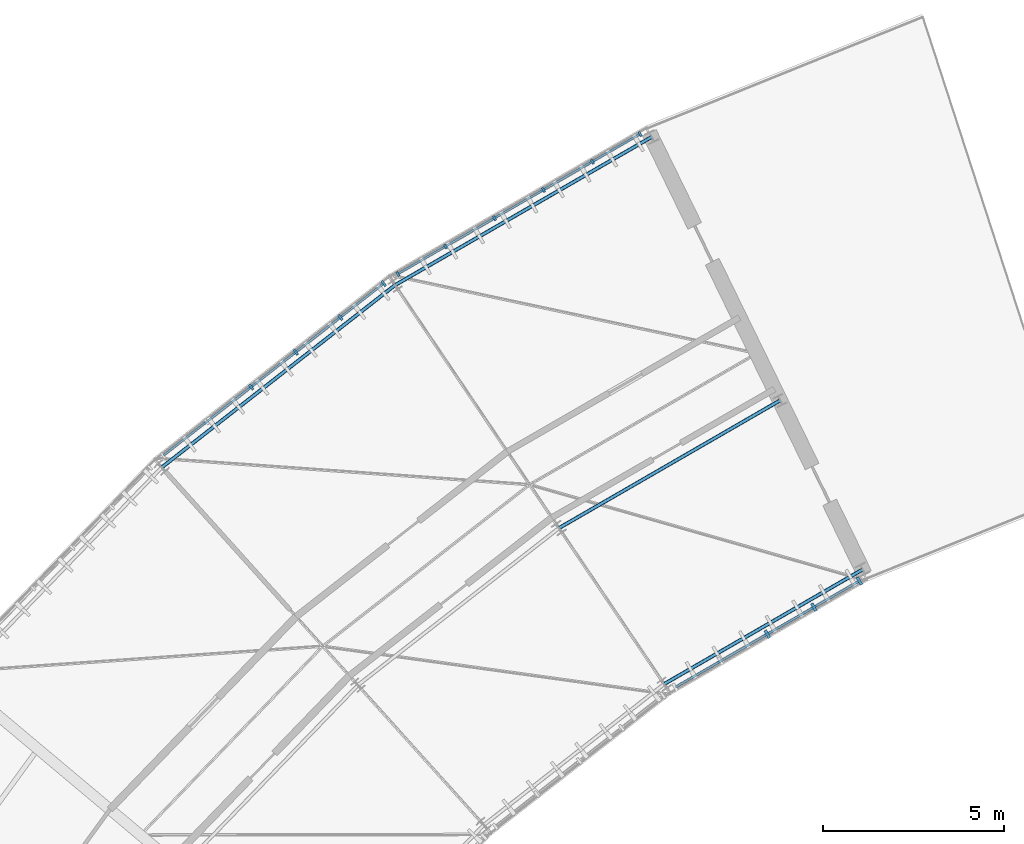
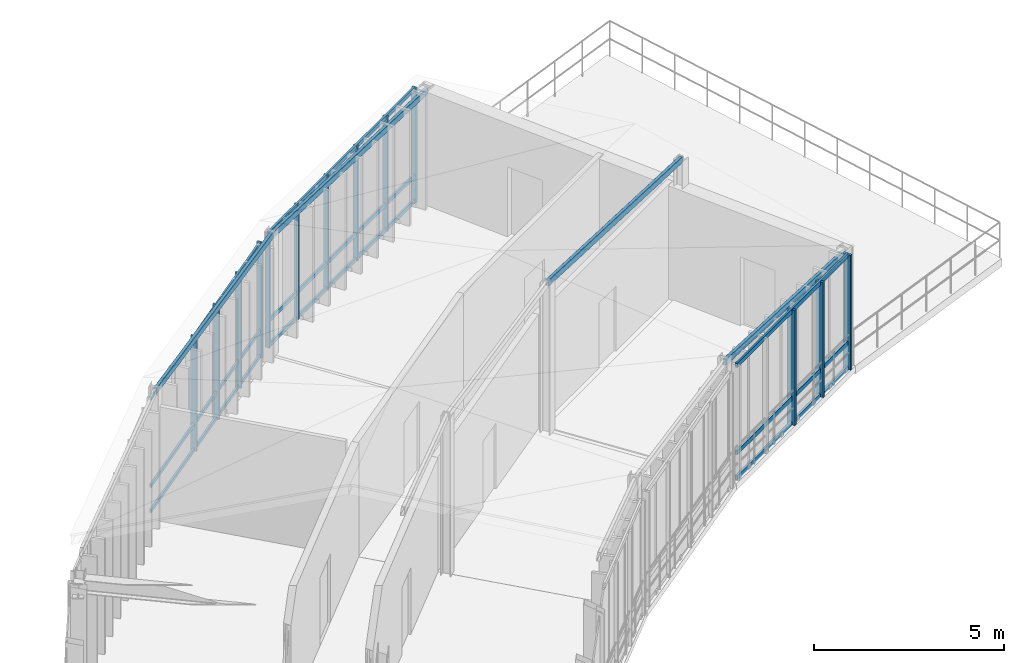
# One storey, part 8 of 25: 26 members, 3 elements without a shape of their own.
"""IFC4 building model written with IfcOpenShell, lengths in metres."""

from ifc_helpers import new_model, si_unit, direction, frame, origin, origin_2d, place, context, subcontext, project, spatial, rectangle, hollow_rectangle, extrude, material, layer, layer_set, material_profile, profile_set, type_object, element, aggregate, save


model = new_model("IFC4")

# Units and contexts
model_context = context("Model", 3, precision=1e-05, world=origin(), true_north=direction((0.0, 1.0)))
body_context = subcontext(model_context, "Body", "Model", "MODEL_VIEW")
ifc_project = project(units=[si_unit("LENGTHUNIT", "METRE"), si_unit("AREAUNIT", "SQUARE_METRE"), si_unit("VOLUMEUNIT", "CUBIC_METRE"), si_unit("PLANEANGLEUNIT", "RADIAN"), si_unit("MASSUNIT", "GRAM", prefix="KILO"), si_unit("THERMODYNAMICTEMPERATUREUNIT", "KELVIN"), si_unit("POWERUNIT", "WATT")], contexts=[model_context])

# Site, building, storey
site_placement = place(None, origin())
site = spatial("IfcSite", under=ifc_project, at=site_placement, CompositionType="ELEMENT")
building_placement = place(site_placement, origin())
building = spatial("IfcBuilding", under=site, at=building_placement, Name="Solvatero Civic Police Headquarters", CompositionType="ELEMENT")
storey_placement = place(building_placement, frame((0.0, 0.0, 25.5)))
storey = spatial("IfcBuildingStorey", under=building, at=storey_placement, Name="L06", CompositionType="ELEMENT", Elevation=25.5)

# Curtain wall, members
ifc_material_1 = material(Name="Anodized Bronze Aluminium", Category="aluminium")
ifc_layer_1 = layer(ifc_material_1, 0.179931640625)
ifc_layer_set_1 = layer_set([ifc_layer_1], Name="Anodized Bronze Aluminium")
curtain_wall_type_1 = type_object("IfcCurtainWallType", Name="CW-ARC-IN", PredefinedType="USERDEFINED", material=ifc_layer_set_1)
curtain_wall_1_placement = place(storey_placement, origin())
curtain_wall_1 = element("IfcCurtainWall", 1, at=curtain_wall_1_placement, inside=storey, type_object=curtain_wall_type_1, Name="Curtain Wall CW-R2-L06-ARC-IN-B05", ObjectType="UNITISED", PredefinedType="USERDEFINED")
ifc_material_profile_1 = material_profile(ifc_material_1, rectangle(XDim=0.080078125, YDim=0.239990234375, at=origin_2d()), Name="ALU MULLION 80x240")
ifc_profile_set_1 = profile_set([ifc_material_profile_1], Name="Anodized Bronze Aluminium")
member_type_1 = type_object("IfcMemberType", Name="CWM-140x60", PredefinedType="MULLION", material=ifc_profile_set_1)
member_1_placement = place(storey_placement, frame((74.035400390625, 66.44677734375, 0.0), z_axis=(0.0, 0.0, 1.0), x_axis=(-0.866025403784, -0.5, 0.0)))
member_1 = element("IfcMember", 2, at=member_1_placement, type_object=member_type_1, Name="CW-R2-L06-ARC-IN-B05 Mullion 1", PredefinedType="MULLION", context=body_context, shape_type="SweptSolid", body=[
    extrude(rectangle(XDim=0.080078125, YDim=0.239990234375, at=origin_2d()), origin(), (0.0, 0.0, 1.0), 3.699951171875),
])
member_2_placement = place(storey_placement, frame((72.780517578125, 65.72216796875, 0.0), z_axis=(0.0, 0.0, 1.0), x_axis=(-0.866025403784, -0.5, 0.0)))
member_2 = element("IfcMember", 3, at=member_2_placement, type_object=member_type_1, Name="CW-R2-L06-ARC-IN-B05 Mullion 2", PredefinedType="MULLION", context=body_context, shape_type="SweptSolid", body=[
    extrude(rectangle(XDim=0.080078125, YDim=0.239990234375, at=origin_2d()), origin(), (0.0, 0.0, 1.0), 3.699951171875),
])
member_3_placement = place(storey_placement, frame((71.490478515625, 64.9775390625, 0.0), z_axis=(0.0, 0.0, 1.0), x_axis=(-0.866025403784, -0.5, 0.0)))
member_3 = element("IfcMember", 4, at=member_3_placement, type_object=member_type_1, Name="CW-R2-L06-ARC-IN-B05 Mullion 3", PredefinedType="MULLION", context=body_context, shape_type="SweptSolid", body=[
    extrude(rectangle(XDim=0.080078125, YDim=0.239990234375, at=origin_2d()), origin(), (0.0, 0.0, 1.0), 3.699951171875),
])

ifc_layer_2 = layer(ifc_material_1, 0.179931640625)
ifc_layer_set_2 = layer_set([ifc_layer_2], Name="Anodized Bronze Aluminium")
curtain_wall_type_2 = type_object("IfcCurtainWallType", Name="CW-ARC-OUT", PredefinedType="USERDEFINED", material=ifc_layer_set_2)
curtain_wall_2_placement = place(storey_placement, origin())
curtain_wall_2 = element("IfcCurtainWall", 5, at=curtain_wall_2_placement, inside=storey, type_object=curtain_wall_type_2, Name="Curtain Wall CW-R2-L06-ARC-OUT-B05", ObjectType="UNITISED", PredefinedType="USERDEFINED")
ifc_material_profile_2 = material_profile(ifc_material_1, rectangle(XDim=0.06005859375, YDim=0.139892578125, at=origin_2d()), Name="ALU MULLION 60x140")
ifc_profile_set_2 = profile_set([ifc_material_profile_2], Name="Anodized Bronze Aluminium")
member_type_2 = type_object("IfcMemberType", Name="CWM-160x65", PredefinedType="MULLION", material=ifc_profile_set_2)
member_4_placement = place(storey_placement, frame((67.9755859375, 78.7978515625, 0.0), z_axis=(0.0, 0.0, 1.0), x_axis=(-0.866025403784, -0.5, 0.0)))
member_4 = element("IfcMember", 6, at=member_4_placement, type_object=member_type_2, Name="CW-R2-L06-ARC-OUT-B05 Mullion 1", PredefinedType="MULLION", context=body_context, shape_type="SweptSolid", body=[
    extrude(rectangle(XDim=0.06005859375, YDim=0.139892578125, at=origin_2d()), origin(), (0.0, 0.0, 1.0), 3.699951171875),
])
member_5_placement = place(storey_placement, frame((66.656982421875, 78.03662109375, 0.0), z_axis=(0.0, 0.0, 1.0), x_axis=(-0.866025403784, -0.5, 0.0)))
member_5 = element("IfcMember", 7, at=member_5_placement, type_object=member_type_2, Name="CW-R2-L06-ARC-OUT-B05 Mullion 2", PredefinedType="MULLION", context=body_context, shape_type="SweptSolid", body=[
    extrude(rectangle(XDim=0.06005859375, YDim=0.139892578125, at=origin_2d()), origin(), (0.0, 0.0, 1.0), 3.699951171875),
])
member_6_placement = place(storey_placement, frame((65.303955078125, 77.25537109375, 0.0), z_axis=(0.0, 0.0, 1.0), x_axis=(-0.866025403784, -0.5, 0.0)))
member_6 = element("IfcMember", 8, at=member_6_placement, type_object=member_type_2, Name="CW-R2-L06-ARC-OUT-B05 Mullion 3", PredefinedType="MULLION", context=body_context, shape_type="SweptSolid", body=[
    extrude(rectangle(XDim=0.06005859375, YDim=0.139892578125, at=origin_2d()), origin(), (0.0, 0.0, 1.0), 3.699951171875),
])
member_7_placement = place(storey_placement, frame((63.95068359375, 76.47412109375, 0.0), z_axis=(0.0, 0.0, 1.0), x_axis=(-0.866025403784, -0.5, 0.0)))
member_7 = element("IfcMember", 9, at=member_7_placement, type_object=member_type_2, Name="CW-R2-L06-ARC-OUT-B05 Mullion 4", PredefinedType="MULLION", context=body_context, shape_type="SweptSolid", body=[
    extrude(rectangle(XDim=0.06005859375, YDim=0.139892578125, at=origin_2d()), origin(), (0.0, 0.0, 1.0), 3.699951171875),
])
member_8_placement = place(storey_placement, frame((62.59765625, 75.693115234375, 0.0), z_axis=(0.0, 0.0, 1.0), x_axis=(-0.866025403784, -0.5, 0.0)))
member_8 = element("IfcMember", 10, at=member_8_placement, type_object=member_type_2, Name="CW-R2-L06-ARC-OUT-B05 Mullion 5", PredefinedType="MULLION", context=body_context, shape_type="SweptSolid", body=[
    extrude(rectangle(XDim=0.06005859375, YDim=0.139892578125, at=origin_2d()), origin(), (0.0, 0.0, 1.0), 3.699951171875),
])
member_9_placement = place(storey_placement, frame((61.279296875, 74.931640625, 0.0), z_axis=(0.0, 0.0, 1.0), x_axis=(-0.866025403784, -0.5, 0.0)))
member_9 = element("IfcMember", 11, at=member_9_placement, type_object=member_type_2, Name="CW-R2-L06-ARC-OUT-B05 Mullion 6", PredefinedType="MULLION", context=body_context, shape_type="SweptSolid", body=[
    extrude(rectangle(XDim=0.06005859375, YDim=0.139892578125, at=origin_2d()), origin(), (0.0, 0.0, 1.0), 3.699951171875),
])

curtain_wall_3_placement = place(storey_placement, origin())
curtain_wall_3 = element("IfcCurtainWall", 12, at=curtain_wall_3_placement, inside=storey, type_object=curtain_wall_type_2, Name="Curtain Wall CW-R2-L06-ARC-OUT-B06", ObjectType="UNITISED", PredefinedType="USERDEFINED")
ifc_material_profile_3 = material_profile(ifc_material_1, rectangle(XDim=0.06494140625, YDim=0.179931640625, at=origin_2d()), Name="ALU MULLION 65x180")
ifc_profile_set_3 = profile_set([ifc_material_profile_3], Name="Anodized Bronze Aluminium")
member_type_3 = type_object("IfcMemberType", Name="CWM-200x75", PredefinedType="MULLION", material=ifc_profile_set_3)
member_10_placement = place(storey_placement, frame((60.888671875, 74.66845703125, 0.0), z_axis=(0.0, 0.0, 1.0), x_axis=(-0.788010753607, -0.615661475326, 0.0)))
member_10 = element("IfcMember", 13, at=member_10_placement, type_object=member_type_3, Name="CW-R2-L06-ARC-OUT-B06 Mullion 1", PredefinedType="MULLION", context=body_context, shape_type="SweptSolid", body=[
    extrude(rectangle(XDim=0.06494140625, YDim=0.179931640625, at=origin_2d()), origin(), (0.0, 0.0, 1.0), 3.699951171875),
])
member_11_placement = place(storey_placement, frame((59.68896484375, 73.73095703125, 0.0), z_axis=(0.0, 0.0, 1.0), x_axis=(-0.788010753607, -0.615661475326, 0.0)))
member_11 = element("IfcMember", 14, at=member_11_placement, type_object=member_type_3, Name="CW-R2-L06-ARC-OUT-B06 Mullion 2", PredefinedType="MULLION", context=body_context, shape_type="SweptSolid", body=[
    extrude(rectangle(XDim=0.06494140625, YDim=0.179931640625, at=origin_2d()), origin(), (0.0, 0.0, 1.0), 3.699951171875),
])
member_12_placement = place(storey_placement, frame((58.457763671875, 72.76904296875, 0.0), z_axis=(0.0, 0.0, 1.0), x_axis=(-0.788010753607, -0.615661475326, 0.0)))
member_12 = element("IfcMember", 15, at=member_12_placement, type_object=member_type_3, Name="CW-R2-L06-ARC-OUT-B06 Mullion 3", PredefinedType="MULLION", context=body_context, shape_type="SweptSolid", body=[
    extrude(rectangle(XDim=0.06494140625, YDim=0.179931640625, at=origin_2d()), origin(), (0.0, 0.0, 1.0), 3.699951171875),
])
member_13_placement = place(storey_placement, frame((57.226318359375, 71.80712890625, 0.0), z_axis=(0.0, 0.0, 1.0), x_axis=(-0.788010753607, -0.615661475326, 0.0)))
member_13 = element("IfcMember", 16, at=member_13_placement, type_object=member_type_3, Name="CW-R2-L06-ARC-OUT-B06 Mullion 4", PredefinedType="MULLION", context=body_context, shape_type="SweptSolid", body=[
    extrude(rectangle(XDim=0.06494140625, YDim=0.179931640625, at=origin_2d()), origin(), (0.0, 0.0, 1.0), 3.699951171875),
])
ifc_material_profile_4 = material_profile(ifc_material_1, rectangle(XDim=0.06005859375, YDim=0.110107421875, at=origin_2d()), Name="ALU TRANSOM 60x110")
ifc_profile_set_4 = profile_set([ifc_material_profile_4], Name="Anodized Bronze Aluminium")
member_type_4 = type_object("IfcMemberType", Name="CWT-140x60", PredefinedType="USERDEFINED", material=ifc_profile_set_4)
member_14_placement = place(storey_placement, frame((60.880859375, 74.662109375, 0.0400390625), z_axis=(-0.788031092545, -0.615635441786, 0.0), x_axis=(0.615635441786, -0.788031092545, 0.0)))
member_14 = element("IfcMember", 17, at=member_14_placement, type_object=member_type_4, Name="CW-R2-L06-ARC-OUT-B06 Transom 1", ObjectType="TRANSOM", PredefinedType="USERDEFINED", context=body_context, shape_type="SweptSolid", body=[
    extrude(rectangle(XDim=0.06005859375, YDim=0.110107421875, at=origin_2d()), origin(), (0.0, 0.0, 1.0), 7.71240234375),
])
member_15_placement = place(storey_placement, frame((60.880859375, 74.662109375, 0.85009765625), z_axis=(-0.788031092545, -0.615635441786, 0.0), x_axis=(0.615635441786, -0.788031092545, 0.0)))
member_15 = element("IfcMember", 18, at=member_15_placement, type_object=member_type_4, Name="CW-R2-L06-ARC-OUT-B06 Transom 2", ObjectType="TRANSOM", PredefinedType="USERDEFINED", context=body_context, shape_type="SweptSolid", body=[
    extrude(rectangle(XDim=0.06005859375, YDim=0.110107421875, at=origin_2d()), origin(), (0.0, 0.0, 1.0), 7.71240234375),
])
member_16_placement = place(storey_placement, frame((60.880859375, 74.662109375, 3.659912109375), z_axis=(-0.788031092545, -0.615635441786, 0.0), x_axis=(0.615635441786, -0.788031092545, 0.0)))
member_16 = element("IfcMember", 19, at=member_16_placement, type_object=member_type_4, Name="CW-R2-L06-ARC-OUT-B06 Transom 3", ObjectType="TRANSOM", PredefinedType="USERDEFINED", context=body_context, shape_type="SweptSolid", body=[
    extrude(rectangle(XDim=0.06005859375, YDim=0.110107421875, at=origin_2d()), origin(), (0.0, 0.0, 1.0), 7.71240234375),
])
aggregate(curtain_wall_3, [member_10, member_11, member_12, member_13, member_14, member_15, member_16])

# Member
ifc_material_profile_5 = material_profile(ifc_material_1, rectangle(XDim=0.06005859375, YDim=0.125, at=origin_2d()), Name="ALU TRANSOM 60x125")
ifc_profile_set_5 = profile_set([ifc_material_profile_5], Name="Anodized Bronze Aluminium")
member_type_5 = type_object("IfcMemberType", Name="CWT-160x65", PredefinedType="USERDEFINED", material=ifc_profile_set_5)
member_17_placement = place(storey_placement, frame((67.966796875, 78.79296875, 0.0400390625), z_axis=(-0.866019527493, -0.500010177898, 0.0), x_axis=(0.500010177898, -0.866019527493, 0.0)))
member_17 = element("IfcMember", 20, at=member_17_placement, type_object=member_type_5, Name="CW-R2-L06-ARC-OUT-B05 Transom 1", ObjectType="TRANSOM", PredefinedType="USERDEFINED", context=body_context, shape_type="SweptSolid", body=[
    extrude(rectangle(XDim=0.06005859375, YDim=0.125, at=origin_2d()), origin(), (0.0, 0.0, 1.0), 7.712158203125),
])

member_18_placement = place(storey_placement, frame((67.966796875, 78.79296875, 0.85009765625), z_axis=(-0.866019527493, -0.500010177898, 0.0), x_axis=(0.500010177898, -0.866019527493, 0.0)))
member_18 = element("IfcMember", 21, at=member_18_placement, type_object=member_type_5, Name="CW-R2-L06-ARC-OUT-B05 Transom 2", ObjectType="TRANSOM", PredefinedType="USERDEFINED", context=body_context, shape_type="SweptSolid", body=[
    extrude(rectangle(XDim=0.06005859375, YDim=0.125, at=origin_2d()), origin(), (0.0, 0.0, 1.0), 7.712158203125),
])

member_19_placement = place(storey_placement, frame((67.966796875, 78.79296875, 3.659912109375), z_axis=(-0.866019527493, -0.500010177898, 0.0), x_axis=(0.500010177898, -0.866019527493, 0.0)))
member_19 = element("IfcMember", 22, at=member_19_placement, type_object=member_type_5, Name="CW-R2-L06-ARC-OUT-B05 Transom 3", ObjectType="TRANSOM", PredefinedType="USERDEFINED", context=body_context, shape_type="SweptSolid", body=[
    extrude(rectangle(XDim=0.06005859375, YDim=0.125, at=origin_2d()), origin(), (0.0, 0.0, 1.0), 7.712158203125),
])

aggregate(curtain_wall_2, [member_4, member_5, member_6, member_7, member_8, member_9, member_17, member_18, member_19])

ifc_material_profile_6 = material_profile(ifc_material_1, rectangle(XDim=0.06494140625, YDim=0.139892578125, at=origin_2d()), Name="ALU TRANSOM 65x140")
ifc_profile_set_6 = profile_set([ifc_material_profile_6], Name="Anodized Bronze Aluminium")
member_type_6 = type_object("IfcMemberType", Name="CWT-180x70", PredefinedType="USERDEFINED", material=ifc_profile_set_6)
member_20_placement = place(storey_placement, frame((74.02685546875, 66.441650390625, 0.0400390625), z_axis=(-0.866025930703, -0.49999908735, 0.0), x_axis=(0.49999908735, -0.866025930703, 0.0)))
member_20 = element("IfcMember", 23, at=member_20_placement, type_object=member_type_6, Name="CW-R2-L06-ARC-IN-B05 Transom 1", ObjectType="TRANSOM", PredefinedType="USERDEFINED", context=body_context, shape_type="SweptSolid", body=[
    extrude(rectangle(XDim=0.06494140625, YDim=0.139892578125, at=origin_2d()), origin(), (0.0, 0.0, 1.0), 5.85693359375),
])

member_21_placement = place(storey_placement, frame((74.02685546875, 66.441650390625, 0.85009765625), z_axis=(-0.866025930703, -0.49999908735, 0.0), x_axis=(0.49999908735, -0.866025930703, 0.0)))
member_21 = element("IfcMember", 24, at=member_21_placement, type_object=member_type_6, Name="CW-R2-L06-ARC-IN-B05 Transom 2", ObjectType="TRANSOM", PredefinedType="USERDEFINED", context=body_context, shape_type="SweptSolid", body=[
    extrude(rectangle(XDim=0.06494140625, YDim=0.139892578125, at=origin_2d()), origin(), (0.0, 0.0, 1.0), 5.85693359375),
])

member_22_placement = place(storey_placement, frame((74.02685546875, 66.441650390625, 3.659912109375), z_axis=(-0.866025930703, -0.49999908735, 0.0), x_axis=(0.49999908735, -0.866025930703, 0.0)))
member_22 = element("IfcMember", 25, at=member_22_placement, type_object=member_type_6, Name="CW-R2-L06-ARC-IN-B05 Transom 3", ObjectType="TRANSOM", PredefinedType="USERDEFINED", context=body_context, shape_type="SweptSolid", body=[
    extrude(rectangle(XDim=0.06494140625, YDim=0.139892578125, at=origin_2d()), origin(), (0.0, 0.0, 1.0), 5.85693359375),
])

aggregate(curtain_wall_1, [member_1, member_2, member_3, member_20, member_21, member_22])

# Members
ifc_material_2 = material(Name="Steel S355", Category="steel")
ifc_material_profile_7 = material_profile(ifc_material_2, hollow_rectangle(XDim=0.10009765625, YDim=0.199951171875, WallThickness=0.008056640625, InnerFilletRadius=0.008056640625, OuterFilletRadius=0.01611328125, at=origin_2d()), Name="RHS 200x100x8.0")
ifc_profile_set_7 = profile_set([ifc_material_profile_7], Name="Steel S355")
member_type_7 = type_object("IfcMemberType", Name="MB-BR-RHS200", PredefinedType="BRACE", material=ifc_profile_set_7)
member_23_placement = place(storey_placement, frame((74.119873046875, 66.76025390625, 3.52001953125), z_axis=(-0.86506102864, -0.49942502108, 0.047371563704), x_axis=(0.499986337096, -0.866033291922, 0.0)))
element("IfcMember", 26, at=member_23_placement, inside=storey, type_object=member_type_7, Name="Arc Roof Purlin B5 EIN", PredefinedType="BRACE", context=body_context, shape_type="SweptSolid", body=[
    extrude(hollow_rectangle(XDim=0.10009765625, YDim=0.199951171875, WallThickness=0.008056640625, InnerFilletRadius=0.008056640625, OuterFilletRadius=0.01611328125, at=origin_2d()), origin(), (0.0, 0.0, 1.0), 6.333984375),
])
member_24_placement = place(storey_placement, frame((71.84033203125, 71.43408203125, 4.47802734375), z_axis=(-0.86522758722, -0.499574163328, 0.042507383462), x_axis=(0.500026110575, -0.866010328312, 0.0)))
element("IfcMember", 27, at=member_24_placement, inside=storey, type_object=member_type_7, Name="Arc Roof Purlin B5 RDG", PredefinedType="BRACE", context=body_context, shape_type="SweptSolid", body=[
    extrude(hollow_rectangle(XDim=0.10009765625, YDim=0.199951171875, WallThickness=0.008056640625, InnerFilletRadius=0.008056640625, OuterFilletRadius=0.01611328125, at=origin_2d()), origin(), (0.0, 0.0, 1.0), 7.058837890625),
])
member_25_placement = place(storey_placement, frame((68.28955078125, 78.71435546875, 3.52001953125), z_axis=(-0.865438458298, -0.499673305225, 0.03664509441), x_axis=(0.500009139881, -0.866020126807, 0.0)))
element("IfcMember", 28, at=member_25_placement, inside=storey, type_object=member_type_7, Name="Arc Roof Purlin B5 EOUT", PredefinedType="BRACE", context=body_context, shape_type="SweptSolid", body=[
    extrude(hollow_rectangle(XDim=0.10009765625, YDim=0.199951171875, WallThickness=0.008056640625, InnerFilletRadius=0.008056640625, OuterFilletRadius=0.01611328125, at=origin_2d()), origin(), (0.0, 0.0, 1.0), 8.18798828125),
])
member_26_placement = place(storey_placement, frame((61.203369140625, 74.623046875, 3.820068359375), z_axis=(-0.787477898636, -0.615252516488, 0.036645601568), x_axis=(0.615666044367, -0.788007183859, 0.0)))
element("IfcMember", 29, at=member_26_placement, inside=storey, type_object=member_type_7, Name="Arc Roof Purlin B6 EOUT", PredefinedType="BRACE", context=body_context, shape_type="SweptSolid", body=[
    extrude(hollow_rectangle(XDim=0.10009765625, YDim=0.199951171875, WallThickness=0.008056640625, InnerFilletRadius=0.008056640625, OuterFilletRadius=0.01611328125, at=origin_2d()), origin(), (0.0, 0.0, 1.0), 8.187744140625),
])

save(model, "model.ifc")
